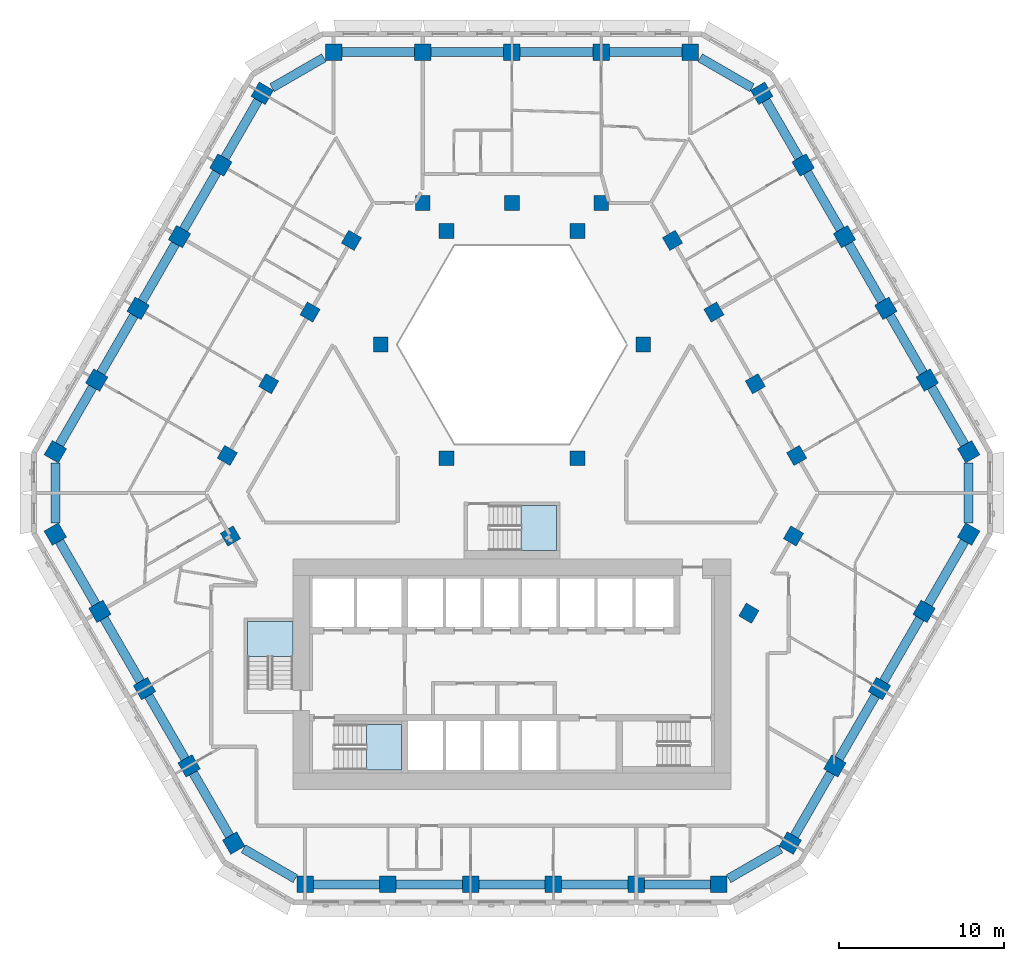
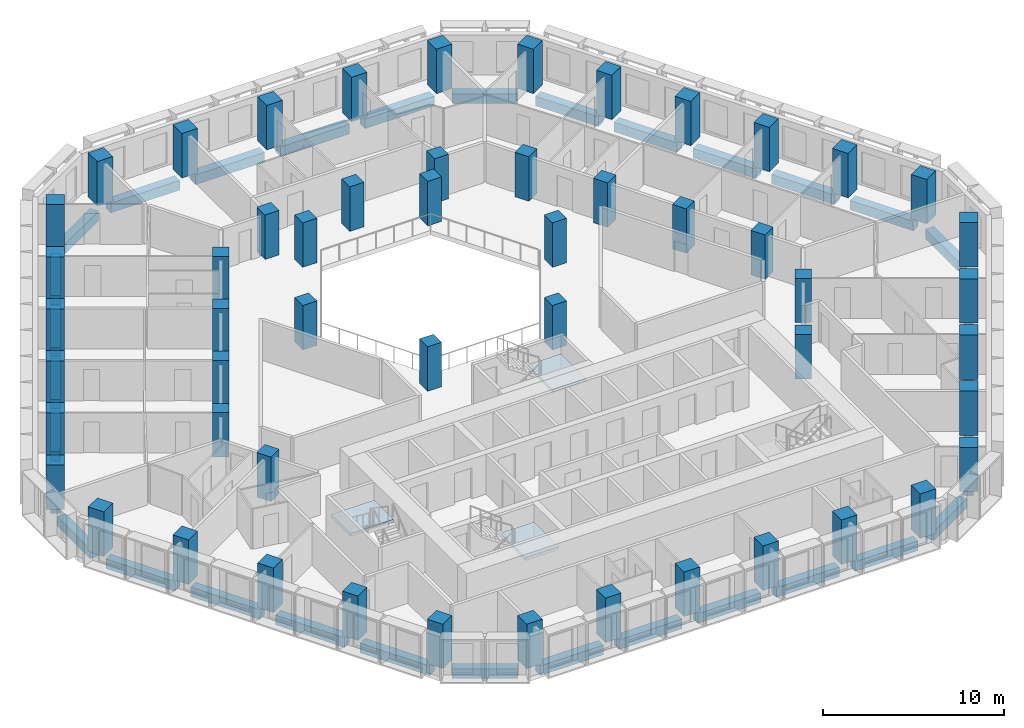
# One storey, part 1 of 18: 53 columns, 33 beams, 3 slabs, 3 elements without a shape of their own.
"""IFC4 building model written with IfcOpenShell, lengths in metres."""

from ifc_helpers import new_model, si_unit, direction, frame, origin, origin_2d, place, context, subcontext, project, spatial, polyline, rectangle, outline, extrude, material, layer, layer_set, material_profile, profile_set, type_object, element, aggregate, save


model = new_model("IFC4")

# Units and contexts
model_context = context("Model", 3, precision=1e-05, world=origin(), true_north=direction((0.0, 1.0)))
body_context = subcontext(model_context, "Body", "Model", "MODEL_VIEW")
ifc_project = project(units=[si_unit("LENGTHUNIT", "METRE"), si_unit("AREAUNIT", "SQUARE_METRE"), si_unit("VOLUMEUNIT", "CUBIC_METRE"), si_unit("PLANEANGLEUNIT", "RADIAN"), si_unit("MASSUNIT", "GRAM", prefix="KILO")], contexts=[model_context])

# Site, building, storey
site_placement = place(None, origin())
site = spatial("IfcSite", under=ifc_project, at=site_placement, CompositionType="ELEMENT")
building_placement = place(site_placement, origin())
building = spatial("IfcBuilding", under=site, at=building_placement, Name="Beryl Residences", CompositionType="ELEMENT")
storey_placement = place(building_placement, frame((0.0, 0.0, 99.0)))
storey = spatial("IfcBuildingStorey", under=building, at=storey_placement, Name="L30", CompositionType="ELEMENT", Elevation=99.0)

# Columns
ifc_material_1 = material(Name="Concrete C70/85", Category="concrete")
ifc_material_profile_1 = material_profile(ifc_material_1, rectangle(XDim=1.0, YDim=1.0, at=origin_2d()))
ifc_profile_set_1 = profile_set([ifc_material_profile_1], Name="Concrete C70/85")
column_type_1 = type_object("IfcColumnType", Name="C2 tube column 1000 x 1000 C70/85", PredefinedType="COLUMN", material=ifc_profile_set_1)
for number, where, z_axis, x_axis, name in (
    (1, (10.824951171875, 25.75, 0.0), (0.0, 0.0, 1.0), (-1.0, 0.0, 0.0), "C2-N1 L30"),
    (2, (5.412109375, 25.75, 0.0), (0.0, 0.0, 1.0), (-1.0, 0.0, 0.0), "C2-N2 L30"),
    (3, (-0.0009765625, 25.75, 0.0), (0.0, 0.0, 1.0), (-1.0, 0.0, 0.0), "C2-N3 L30"),
    (4, (-5.4140625, 25.75, 0.0), (0.0, 0.0, 1.0), (-1.0, 0.0, 0.0), "C2-N4 L30"),
    (5, (-10.826904296875, 25.75, 0.0), (0.0, 0.0, 1.0), (-1.0, 0.0, 0.0), "C2-N5 L30"),
    (6, (-15.155029296875, 23.2509765625, 0.0), (0.0, 0.0, 1.0), (-0.5, -0.866025403784, 0.0), "C2-NW1 L30"),
    (7, (-17.6669921875, 18.89990234375, 0.0), (0.0, 0.0, 1.0), (-0.5, -0.866025403784, 0.0), "C2-NW2 L30"),
    (8, (-20.177978515625, 14.550048828125, 0.0), (0.0, 0.0, 1.0), (-0.5, -0.866025403784, 0.0), "C2-NW3 L30"),
    (9, (-22.68994140625, 10.199951171875, 0.0), (0.0, 0.0, 1.0), (-0.5, -0.866025403784, 0.0), "C2-NW4 L30"),
    (10, (-25.201904296875, 5.85009765625, 0.0), (0.0, 0.0, 1.0), (-0.5, -0.866025403784, 0.0), "C2-NW5 L30"),
    (11, (-27.712890625, 1.5, 0.0), (0.0, 0.0, 1.0), (-0.5, -0.866025403784, 0.0), "C2-NW6 L30"),
    (12, (-27.714111328125, -3.4990234375, 0.0), (0.0, 0.0, 1.0), (0.5, -0.866025403784, 0.0), "C2-SW1 L30"),
    (13, (-25.007080078125, -8.18701171875, 0.0), (0.0, 0.0, 1.0), (0.5, -0.866025403784, 0.0), "C2-SW2 L30"),
    (14, (-22.300048828125, -12.875, 0.0), (0.0, 0.0, 1.0), (0.5, -0.866025403784, 0.0), "C2-SW3 L30"),
    (15, (-19.593994140625, -17.56298828125, 0.0), (0.0, 0.0, 1.0), (0.5, -0.866025403784, 0.0), "C2-SW4 L30"),
    (16, (-16.886962890625, -22.2509765625, 0.0), (0.0, 0.0, 1.0), (0.5, -0.866025403784, 0.0), "C2-SW5 L30"),
    (17, (-12.556884765625, -24.75, 0.0), (0.0, 0.0, 1.0), (1.0, 0.0, 0.0), "C2-S1 L30"),
    (18, (-7.533935546875, -24.75, 0.0), (0.0, 0.0, 1.0), (1.0, 0.0, 0.0), "C2-S2 L30"),
    (19, (-2.510986328125, -24.75, 0.0), (0.0, 0.0, 1.0), (1.0, 0.0, 0.0), "C2-S3 L30"),
    (20, (2.511962890625, -24.75, 0.0), (0.0, 0.0, 1.0), (1.0, 0.0, 0.0), "C2-S4 L30"),
    (21, (7.534912109375, -24.75, 0.0), (0.0, 0.0, 1.0), (1.0, 0.0, 0.0), "C2-S5 L30"),
    (22, (12.55810546875, -24.75, 0.0), (0.0, 0.0, 1.0), (1.0, 0.0, 0.0), "C2-S6 L30"),
    (23, (16.886962890625, -22.2509765625, 0.0), (0.0, 0.0, 1.0), (0.5, 0.866025403784, 0.0), "C2-SE1 L30"),
    (24, (19.593994140625, -17.56298828125, 0.0), (0.0, 0.0, 1.0), (0.5, 0.866025403784, 0.0), "C2-SE2 L30"),
    (25, (22.300048828125, -12.875, 0.0), (0.0, 0.0, 1.0), (0.5, 0.866025403784, 0.0), "C2-SE3 L30"),
    (26, (25.007080078125, -8.18701171875, 0.0), (0.0, 0.0, 1.0), (0.5, 0.866025403784, 0.0), "C2-SE4 L30"),
    (27, (27.714111328125, -3.4990234375, 0.0), (0.0, 0.0, 1.0), (0.5, 0.866025403784, 0.0), "C2-SE5 L30"),
    (28, (27.714111328125, 1.4990234375, 0.0), (0.0, 0.0, 1.0), (-0.5, 0.866025403784, 0.0), "C2-NE1 L30"),
    (29, (25.201904296875, 5.85009765625, 0.0), (0.0, 0.0, 1.0), (-0.5, 0.866025403784, 0.0), "C2-NE2 L30"),
    (30, (22.68994140625, 10.199951171875, 0.0), (0.0, 0.0, 1.0), (-0.5, 0.866025403784, 0.0), "C2-NE3 L30"),
    (31, (20.178955078125, 14.550048828125, 0.0), (0.0, 0.0, 1.0), (-0.5, 0.866025403784, 0.0), "C2-NE4 L30"),
    (32, (17.6669921875, 18.89990234375, 0.0), (0.0, 0.0, 1.0), (-0.5, 0.866025403784, 0.0), "C2-NE5 L30"),
    (33, (15.156005859375, 23.25, 0.0), (0.0, 0.0, 1.0), (-0.5, 0.866025403784, 0.0), "C2-NE6 L30"),
):
    element("IfcColumn", number, at=place(storey_placement, frame(where, z_axis=z_axis, x_axis=x_axis)), inside=storey, type_object=column_type_1, Name=name, PredefinedType="COLUMN", context=body_context, shape_type="SweptSolid", body=[
        extrude(rectangle(XDim=1.0, YDim=1.0, at=origin_2d()), origin(), (0.0, 0.0, 1.0), 3.0),
    ])
ifc_material_2 = material(Name="Concrete C70/85", Category="concrete")
ifc_material_profile_2 = material_profile(ifc_material_2, rectangle(XDim=0.89990234375, YDim=0.89990234375, at=origin_2d()))
ifc_profile_set_2 = profile_set([ifc_material_profile_2], Name="Concrete C70/85")
column_type_2 = type_object("IfcColumnType", Name="IC2 interior column 900 x 900 C70/85", PredefinedType="COLUMN", material=ifc_profile_set_2)
for number, where, z_axis, x_axis, name in (
    (34, (-17.0830078125, -3.612060546875, 0.0), (0.0, 0.0, 1.0), (0.5, -0.866025403784, 0.0), "IC2-M01 L30"),
    (35, (14.3759765625, -8.300048828125, 0.0), (0.0, 0.0, 1.0), (0.5, 0.866025403784, 0.0), "IC2-M02 L30"),
    (36, (17.0830078125, -3.612060546875, 0.0), (0.0, 0.0, 1.0), (0.5, 0.866025403784, 0.0), "IC2-M03 L30"),
    (37, (17.278076171875, 1.27392578125, 0.0), (0.0, 0.0, 1.0), (-0.5, 0.866025403784, 0.0), "IC2-M04 L30"),
    (38, (3.98388671875, 1.10009765625, 0.0), (0.0, 0.0, 1.0), (1.0, 0.0, 0.0), "IC2-A05 L30"),
    (39, (14.76611328125, 5.625, 0.0), (0.0, 0.0, 1.0), (-0.5, 0.866025403784, 0.0), "IC2-M06 L30"),
    (40, (12.2548828125, 9.97509765625, 0.0), (0.0, 0.0, 1.0), (-0.5, 0.866025403784, 0.0), "IC2-M07 L30"),
    (41, (7.967041015625, 8.0, 0.0), (0.0, 0.0, 1.0), (1.0, 0.0, 0.0), "IC2-A08 L30"),
    (42, (9.742919921875, 14.324951171875, 0.0), (0.0, 0.0, 1.0), (-0.5, 0.866025403784, 0.0), "IC2-M09 L30"),
    (43, (5.412109375, 16.60009765625, 0.0), (0.0, 0.0, 1.0), (-1.0, 0.0, 0.0), "IC2-M10 L30"),
    (44, (3.98388671875, 14.89990234375, 0.0), (0.0, 0.0, 1.0), (1.0, 0.0, 0.0), "IC2-A11 L30"),
    (45, (-0.0009765625, 16.60009765625, 0.0), (0.0, 0.0, 1.0), (-1.0, 0.0, 0.0), "IC2-M12 L30"),
    (46, (-3.98388671875, 14.89990234375, 0.0), (0.0, 0.0, 1.0), (1.0, 0.0, 0.0), "IC2-A13 L30"),
    (47, (-5.4140625, 16.60009765625, 0.0), (0.0, 0.0, 1.0), (-1.0, 0.0, 0.0), "IC2-M14 L30"),
    (48, (-9.742919921875, 14.324951171875, 0.0), (0.0, 0.0, 1.0), (-0.5, -0.866025403784, 0.0), "IC2-M15 L30"),
    (49, (-7.967041015625, 8.0, 0.0), (0.0, 0.0, 1.0), (1.0, 0.0, 0.0), "IC2-A16 L30"),
    (50, (-12.25390625, 9.97509765625, 0.0), (0.0, 0.0, 1.0), (-0.5, -0.866025403784, 0.0), "IC2-M17 L30"),
    (51, (-14.76611328125, 5.625, 0.0), (0.0, 0.0, 1.0), (-0.5, -0.866025403784, 0.0), "IC2-M18 L30"),
    (52, (-3.98388671875, 1.10009765625, 0.0), (0.0, 0.0, 1.0), (1.0, 0.0, 0.0), "IC2-A19 L30"),
    (53, (-17.277099609375, 1.27490234375, 0.0), (0.0, 0.0, 1.0), (-0.5, -0.866025403784, 0.0), "IC2-M20 L30"),
):
    element("IfcColumn", number, at=place(storey_placement, frame(where, z_axis=z_axis, x_axis=x_axis)), inside=storey, type_object=column_type_2, Name=name, PredefinedType="COLUMN", context=body_context, shape_type="SweptSolid", body=[
        extrude(rectangle(XDim=0.89990234375, YDim=0.89990234375, at=origin_2d()), origin(), (0.0, 0.0, 1.0), 3.0),
    ])

# Beams
ifc_material_3 = material(Name="Concrete C70/85", Category="concrete")
ifc_material_profile_3 = material_profile(ifc_material_3, rectangle(XDim=0.550048828125, YDim=0.64990234375, at=origin_2d()))
ifc_profile_set_3 = profile_set([ifc_material_profile_3], Name="Concrete C70/85")
beam_type = type_object("IfcBeamType", Name="SB2 spandrel beam 550 x 650 C70/85", PredefinedType="SPANDREL", material=ifc_profile_set_3)
beam_1_placement = place(storey_placement, frame((10.324951171875, 25.75, -0.625), z_axis=(-1.0, 0.0, 0.0), x_axis=(0.0, -1.0, 0.0)))
element("IfcBeam", 54, at=beam_1_placement, inside=storey, type_object=beam_type, Name="SB2 L30 N-0", PredefinedType="SPANDREL", context=body_context, shape_type="SweptSolid", body=[
    extrude(rectangle(XDim=0.550048828125, YDim=0.64990234375, at=origin_2d()), origin(), (0.0, 0.0, 1.0), 4.412841796875),
])
for number, where, z_axis, x_axis, name in (
    (55, (4.912109375, 25.75, -0.625), (-1.0, 0.0, 0.0), (0.0, -1.0, 0.0), "SB2 L30 N-1"),
    (56, (-0.5009765625, 25.75, -0.625), (-1.0, 0.0, 0.0), (0.0, -1.0, 0.0), "SB2 L30 N-2"),
):
    element("IfcBeam", number, at=place(storey_placement, frame(where, z_axis=z_axis, x_axis=x_axis)), inside=storey, type_object=beam_type, Name=name, PredefinedType="SPANDREL", context=body_context, shape_type="SweptSolid", body=[
        extrude(rectangle(XDim=0.550048828125, YDim=0.64990234375, at=origin_2d()), origin(), (0.0, 0.0, 1.0), 4.4130859375),
    ])
beam_2_placement = place(storey_placement, frame((-5.9140625, 25.75, -0.625), z_axis=(-1.0, 0.0, 0.0), x_axis=(0.0, -1.0, 0.0)))
element("IfcBeam", 57, at=beam_2_placement, inside=storey, type_object=beam_type, Name="SB2 L30 N-3", PredefinedType="SPANDREL", context=body_context, shape_type="SweptSolid", body=[
    extrude(rectangle(XDim=0.550048828125, YDim=0.64990234375, at=origin_2d()), origin(), (0.0, 0.0, 1.0), 4.412841796875),
])
beam_3_placement = place(storey_placement, frame((-11.41796875, 25.408935546875, -0.625), z_axis=(-0.865959503272, -0.500114125668, 0.0), x_axis=(0.500114125668, -0.865959503272, 0.0)))
element("IfcBeam", 58, at=beam_3_placement, inside=storey, type_object=beam_type, Name="SB2 L30 N-4", PredefinedType="SPANDREL", context=body_context, shape_type="SweptSolid", body=[
    extrude(rectangle(XDim=0.550048828125, YDim=0.64990234375, at=origin_2d()), origin(), (0.0, 0.0, 1.0), 3.633056640625),
])
beam_4_placement = place(storey_placement, frame((-15.405029296875, 22.818115234375, -0.625), z_axis=(-0.49996928203, -0.866043138087, 0.0), x_axis=(0.866043138087, -0.49996928203, 0.0)))
element("IfcBeam", 59, at=beam_4_placement, inside=storey, type_object=beam_type, Name="SB2 L30 NW-0", PredefinedType="SPANDREL", context=body_context, shape_type="SweptSolid", body=[
    extrude(rectangle(XDim=0.550048828125, YDim=0.64990234375, at=origin_2d()), origin(), (0.0, 0.0, 1.0), 4.024169921875),
])
beam_5_placement = place(storey_placement, frame((-17.9169921875, 18.467041015625, -0.625), z_axis=(-0.499892318183, -0.866087564985, 0.0), x_axis=(0.866087564985, -0.499892318183, 0.0)))
element("IfcBeam", 60, at=beam_5_placement, inside=storey, type_object=beam_type, Name="SB2 L30 NW-1", PredefinedType="SPANDREL", context=body_context, shape_type="SweptSolid", body=[
    extrude(rectangle(XDim=0.550048828125, YDim=0.64990234375, at=origin_2d()), origin(), (0.0, 0.0, 1.0), 4.02294921875),
])
beam_6_placement = place(storey_placement, frame((-20.427978515625, 14.116943359375, -0.625), z_axis=(-0.500100656611, -0.865967281863, 0.0), x_axis=(0.865967281863, -0.500100656611, 0.0)))
element("IfcBeam", 61, at=beam_6_placement, inside=storey, type_object=beam_type, Name="SB2 L30 NW-2", PredefinedType="SPANDREL", context=body_context, shape_type="SweptSolid", body=[
    extrude(rectangle(XDim=0.550048828125, YDim=0.64990234375, at=origin_2d()), origin(), (0.0, 0.0, 1.0), 4.023193359375),
])
beam_7_placement = place(storey_placement, frame((-22.93994140625, 9.76708984375, -0.625), z_axis=(-0.500074377092, -0.865982457891, 0.0), x_axis=(0.865982457891, -0.500074377092, 0.0)))
element("IfcBeam", 62, at=beam_7_placement, inside=storey, type_object=beam_type, Name="SB2 L30 NW-3", PredefinedType="SPANDREL", context=body_context, shape_type="SweptSolid", body=[
    extrude(rectangle(XDim=0.550048828125, YDim=0.64990234375, at=origin_2d()), origin(), (0.0, 0.0, 1.0), 4.0234375),
])
beam_8_placement = place(storey_placement, frame((-25.451904296875, 5.4169921875, -0.625), z_axis=(-0.499918594511, -0.866072398164, 0.0), x_axis=(0.866072398164, -0.499918594511, 0.0)))
element("IfcBeam", 63, at=beam_8_placement, inside=storey, type_object=beam_type, Name="SB2 L30 NW-4", PredefinedType="SPANDREL", context=body_context, shape_type="SweptSolid", body=[
    extrude(rectangle(XDim=0.550048828125, YDim=0.64990234375, at=origin_2d()), origin(), (0.0, 0.0, 1.0), 4.022705078125),
])
beam_9_placement = place(storey_placement, frame((-27.712890625, 0.81689453125, -0.625), z_axis=(-0.000336021486, -0.999999943545, 0.0), x_axis=(0.999999943545, -0.000336021486, 0.0)))
element("IfcBeam", 64, at=beam_9_placement, inside=storey, type_object=beam_type, Name="SB2 L30 NW-5", PredefinedType="SPANDREL", context=body_context, shape_type="SweptSolid", body=[
    extrude(rectangle(XDim=0.550048828125, YDim=0.64990234375, at=origin_2d()), origin(), (0.0, 0.0, 1.0), 3.6328125),
])
beam_10_placement = place(storey_placement, frame((-27.464111328125, -3.931884765625, -0.625), z_axis=(0.50006561292, -0.865987518834, 0.0), x_axis=(0.865987518834, 0.50006561292, 0.0)))
element("IfcBeam", 65, at=beam_10_placement, inside=storey, type_object=beam_type, Name="SB2 L30 SW-0", PredefinedType="SPANDREL", context=body_context, shape_type="SweptSolid", body=[
    extrude(rectangle(XDim=0.550048828125, YDim=0.64990234375, at=origin_2d()), origin(), (0.0, 0.0, 1.0), 4.41357421875),
])
beam_11_placement = place(storey_placement, frame((-24.757080078125, -8.6201171875, -0.625), z_axis=(0.500089568931, -0.865973684962, 0.0), x_axis=(0.865973684962, 0.500089568931, 0.0)))
element("IfcBeam", 66, at=beam_11_placement, inside=storey, type_object=beam_type, Name="SB2 L30 SW-1", PredefinedType="SPANDREL", context=body_context, shape_type="SweptSolid", body=[
    extrude(rectangle(XDim=0.550048828125, YDim=0.64990234375, at=origin_2d()), origin(), (0.0, 0.0, 1.0), 4.413330078125),
])
beam_12_placement = place(storey_placement, frame((-22.050048828125, -13.30810546875, -0.625), z_axis=(0.49992360228, -0.866069507536, 0.0), x_axis=(0.866069507536, 0.49992360228, 0.0)))
element("IfcBeam", 67, at=beam_12_placement, inside=storey, type_object=beam_type, Name="SB2 L30 SW-2", PredefinedType="SPANDREL", context=body_context, shape_type="SweptSolid", body=[
    extrude(rectangle(XDim=0.550048828125, YDim=0.64990234375, at=origin_2d()), origin(), (0.0, 0.0, 1.0), 4.412841796875),
])
beam_13_placement = place(storey_placement, frame((-19.343994140625, -17.99609375, -0.625), z_axis=(0.50006561292, -0.865987518834, 0.0), x_axis=(0.865987518834, 0.50006561292, 0.0)))
element("IfcBeam", 68, at=beam_13_placement, inside=storey, type_object=beam_type, Name="SB2 L30 SW-3", PredefinedType="SPANDREL", context=body_context, shape_type="SweptSolid", body=[
    extrude(rectangle(XDim=0.550048828125, YDim=0.64990234375, at=origin_2d()), origin(), (0.0, 0.0, 1.0), 4.41357421875),
])
beam_14_placement = place(storey_placement, frame((-16.2958984375, -22.592041015625, -0.625), z_axis=(0.866093873939, -0.499881387456, 0.0), x_axis=(0.499881387456, 0.866093873939, 0.0)))
element("IfcBeam", 69, at=beam_14_placement, inside=storey, type_object=beam_type, Name="SB2 L30 SW-4", PredefinedType="SPANDREL", context=body_context, shape_type="SweptSolid", body=[
    extrude(rectangle(XDim=0.550048828125, YDim=0.64990234375, at=origin_2d()), origin(), (0.0, 0.0, 1.0), 3.634765625),
])
for number, where, z_axis, x_axis, name in (
    (70, (-12.056884765625, -24.75, -0.625), (1.0, 0.0, 0.0), (0.0, 1.0, 0.0), "SB2 L30 S-0"),
    (71, (-7.033935546875, -24.75, -0.625), (1.0, 0.0, 0.0), (0.0, 1.0, 0.0), "SB2 L30 S-1"),
    (72, (-2.010986328125, -24.75, -0.625), (1.0, 0.0, 0.0), (0.0, 1.0, 0.0), "SB2 L30 S-2"),
    (73, (3.011962890625, -24.75, -0.625), (1.0, 0.0, 0.0), (0.0, 1.0, 0.0), "SB2 L30 S-3"),
):
    element("IfcBeam", number, at=place(storey_placement, frame(where, z_axis=z_axis, x_axis=x_axis)), inside=storey, type_object=beam_type, Name=name, PredefinedType="SPANDREL", context=body_context, shape_type="SweptSolid", body=[
        extrude(rectangle(XDim=0.550048828125, YDim=0.64990234375, at=origin_2d()), origin(), (0.0, 0.0, 1.0), 4.02294921875),
    ])
beam_15_placement = place(storey_placement, frame((8.034912109375, -24.75, -0.625), z_axis=(1.0, 0.0, 0.0), x_axis=(0.0, 1.0, 0.0)))
element("IfcBeam", 74, at=beam_15_placement, inside=storey, type_object=beam_type, Name="SB2 L30 S-4", PredefinedType="SPANDREL", context=body_context, shape_type="SweptSolid", body=[
    extrude(rectangle(XDim=0.550048828125, YDim=0.64990234375, at=origin_2d()), origin(), (0.0, 0.0, 1.0), 4.023193359375),
])
beam_16_placement = place(storey_placement, frame((13.14892578125, -24.408935546875, -0.625), z_axis=(0.866026712061, 0.499997733992, 0.0), x_axis=(-0.499997733992, 0.866026712061, 0.0)))
element("IfcBeam", 75, at=beam_16_placement, inside=storey, type_object=beam_type, Name="SB2 L30 S-5", PredefinedType="SPANDREL", context=body_context, shape_type="SweptSolid", body=[
    extrude(rectangle(XDim=0.550048828125, YDim=0.64990234375, at=origin_2d()), origin(), (0.0, 0.0, 1.0), 3.6337890625),
])
beam_17_placement = place(storey_placement, frame((17.136962890625, -21.818115234375, -0.625), z_axis=(0.50006561292, 0.865987518834, 0.0), x_axis=(-0.865987518834, 0.50006561292, 0.0)))
element("IfcBeam", 76, at=beam_17_placement, inside=storey, type_object=beam_type, Name="SB2 L30 SE-0", PredefinedType="SPANDREL", context=body_context, shape_type="SweptSolid", body=[
    extrude(rectangle(XDim=0.550048828125, YDim=0.64990234375, at=origin_2d()), origin(), (0.0, 0.0, 1.0), 4.41357421875),
])
beam_18_placement = place(storey_placement, frame((19.843994140625, -17.1298828125, -0.625), z_axis=(0.49992360228, 0.866069507536, 0.0), x_axis=(-0.866069507536, 0.49992360228, 0.0)))
element("IfcBeam", 77, at=beam_18_placement, inside=storey, type_object=beam_type, Name="SB2 L30 SE-1", PredefinedType="SPANDREL", context=body_context, shape_type="SweptSolid", body=[
    extrude(rectangle(XDim=0.550048828125, YDim=0.64990234375, at=origin_2d()), origin(), (0.0, 0.0, 1.0), 4.412841796875),
])
beam_19_placement = place(storey_placement, frame((22.550048828125, -12.44189453125, -0.625), z_axis=(0.500089568931, 0.865973684962, 0.0), x_axis=(-0.865973684962, 0.500089568931, 0.0)))
element("IfcBeam", 78, at=beam_19_placement, inside=storey, type_object=beam_type, Name="SB2 L30 SE-2", PredefinedType="SPANDREL", context=body_context, shape_type="SweptSolid", body=[
    extrude(rectangle(XDim=0.550048828125, YDim=0.64990234375, at=origin_2d()), origin(), (0.0, 0.0, 1.0), 4.413330078125),
])
beam_20_placement = place(storey_placement, frame((25.257080078125, -7.75390625, -0.625), z_axis=(0.50006561292, 0.865987518834, 0.0), x_axis=(-0.865987518834, 0.50006561292, 0.0)))
element("IfcBeam", 79, at=beam_20_placement, inside=storey, type_object=beam_type, Name="SB2 L30 SE-3", PredefinedType="SPANDREL", context=body_context, shape_type="SweptSolid", body=[
    extrude(rectangle(XDim=0.550048828125, YDim=0.64990234375, at=origin_2d()), origin(), (0.0, 0.0, 1.0), 4.41357421875),
])
beam_21_placement = place(storey_placement, frame((27.714111328125, -2.81591796875, -0.625), z_axis=(0.0, 1.0, 0.0), x_axis=(-1.0, 0.0, 0.0)))
element("IfcBeam", 80, at=beam_21_placement, inside=storey, type_object=beam_type, Name="SB2 L30 SE-4", PredefinedType="SPANDREL", context=body_context, shape_type="SweptSolid", body=[
    extrude(rectangle(XDim=0.550048828125, YDim=0.64990234375, at=origin_2d()), origin(), (0.0, 0.0, 1.0), 3.6318359375),
])
beam_22_placement = place(storey_placement, frame((27.464111328125, 1.931884765625, -0.625), z_axis=(-0.500014783214, 0.866016868524, 0.0), x_axis=(-0.866016868524, -0.500014783214, 0.0)))
element("IfcBeam", 81, at=beam_22_placement, inside=storey, type_object=beam_type, Name="SB2 L30 NE-0", PredefinedType="SPANDREL", context=body_context, shape_type="SweptSolid", body=[
    extrude(rectangle(XDim=0.550048828125, YDim=0.64990234375, at=origin_2d()), origin(), (0.0, 0.0, 1.0), 4.0244140625),
])
beam_23_placement = place(storey_placement, frame((24.951904296875, 6.282958984375, -0.625), z_axis=(-0.500074377092, 0.865982457891, 0.0), x_axis=(-0.865982457891, -0.500074377092, 0.0)))
element("IfcBeam", 82, at=beam_23_placement, inside=storey, type_object=beam_type, Name="SB2 L30 NE-1", PredefinedType="SPANDREL", context=body_context, shape_type="SweptSolid", body=[
    extrude(rectangle(XDim=0.550048828125, YDim=0.64990234375, at=origin_2d()), origin(), (0.0, 0.0, 1.0), 4.0234375),
])
beam_24_placement = place(storey_placement, frame((22.43994140625, 10.633056640625, -0.625), z_axis=(-0.499918594511, 0.866072398164, 0.0), x_axis=(-0.866072398164, -0.499918594511, 0.0)))
element("IfcBeam", 83, at=beam_24_placement, inside=storey, type_object=beam_type, Name="SB2 L30 NE-2", PredefinedType="SPANDREL", context=body_context, shape_type="SweptSolid", body=[
    extrude(rectangle(XDim=0.550048828125, YDim=0.64990234375, at=origin_2d()), origin(), (0.0, 0.0, 1.0), 4.022705078125),
])
beam_25_placement = place(storey_placement, frame((19.928955078125, 14.98291015625, -0.625), z_axis=(-0.500074377092, 0.865982457891, 0.0), x_axis=(-0.865982457891, -0.500074377092, 0.0)))
element("IfcBeam", 84, at=beam_25_placement, inside=storey, type_object=beam_type, Name="SB2 L30 NE-3", PredefinedType="SPANDREL", context=body_context, shape_type="SweptSolid", body=[
    extrude(rectangle(XDim=0.550048828125, YDim=0.64990234375, at=origin_2d()), origin(), (0.0, 0.0, 1.0), 4.0234375),
])
beam_26_placement = place(storey_placement, frame((17.4169921875, 19.3330078125, -0.625), z_axis=(-0.499918594511, 0.866072398164, 0.0), x_axis=(-0.866072398164, -0.499918594511, 0.0)))
element("IfcBeam", 85, at=beam_26_placement, inside=storey, type_object=beam_type, Name="SB2 L30 NE-4", PredefinedType="SPANDREL", context=body_context, shape_type="SweptSolid", body=[
    extrude(rectangle(XDim=0.550048828125, YDim=0.64990234375, at=origin_2d()), origin(), (0.0, 0.0, 1.0), 4.022705078125),
])
beam_27_placement = place(storey_placement, frame((14.56494140625, 23.591064453125, -0.625), z_axis=(-0.866044702259, 0.499966572571, 0.0), x_axis=(-0.499966572571, -0.866044702259, 0.0)))
element("IfcBeam", 86, at=beam_27_placement, inside=storey, type_object=beam_type, Name="SB2 L30 NE-5", PredefinedType="SPANDREL", context=body_context, shape_type="SweptSolid", body=[
    extrude(rectangle(XDim=0.550048828125, YDim=0.64990234375, at=origin_2d()), origin(), (0.0, 0.0, 1.0), 3.635986328125),
])

# Stair, slab
ifc_material_4 = material(Name="Concrete C40/50", Category="concrete")
stair_type = type_object("IfcStairType", Name="ST1 protected exit stair, half-turn, 1300 mm flights", PredefinedType="HALF_TURN_STAIR", material=ifc_material_4)
stair_1_placement = place(storey_placement, origin())
stair_1 = element("IfcStair", 87, at=stair_1_placement, inside=storey, type_object=stair_type, Name="L30 PROTECTED EXIT STAIR ST-1", PredefinedType="HALF_TURN_STAIR")
ifc_material_5 = material(Name="Concrete C40/50", Category="concrete")
ifc_layer = layer(ifc_material_5, 0.199951171875)
ifc_layer_set = layer_set([ifc_layer], Name="SLD1 stair landing 200 mm")
slab_type = type_object("IfcSlabType", Name="SLD1 stair landing 200 mm", PredefinedType="LANDING", material=ifc_layer_set)
slab_1_placement = place(storey_placement, frame((0.0, 0.0, 1.300048828125)))
slab_1 = element("IfcSlab", 88, at=slab_1_placement, type_object=slab_type, Name="ST-1 landing 1", PredefinedType="LANDING", context=body_context, shape_type="SweptSolid", body=[
    extrude(outline(polyline([(-8.840087890625, -17.800048828125), (-6.699951171875, -17.800048828125), (-6.699951171875, -15.050048828125), (-8.840087890625, -15.050048828125), (-8.840087890625, -17.800048828125)])), origin(), (0.0, 0.0, 1.0), 0.199951171875),
])
aggregate(stair_1, [slab_1])

stair_2_placement = place(storey_placement, origin())
stair_2 = element("IfcStair", 89, at=stair_2_placement, inside=storey, type_object=stair_type, Name="L30 PROTECTED EXIT STAIR ST-2", PredefinedType="HALF_TURN_STAIR")
slab_2_placement = place(storey_placement, frame((0.0, 0.0, 1.300048828125)))
slab_2 = element("IfcSlab", 90, at=slab_2_placement, type_object=slab_type, Name="ST-2 landing 1", PredefinedType="LANDING", context=body_context, shape_type="SweptSolid", body=[
    extrude(outline(polyline([(-13.300048828125, -10.93994140625), (-13.300048828125, -8.800048828125), (-16.050048828125, -8.800048828125), (-16.050048828125, -10.93994140625), (-13.300048828125, -10.93994140625)])), origin(), (0.0, 0.0, 1.0), 0.199951171875),
])
aggregate(stair_2, [slab_2])

stair_3_placement = place(storey_placement, origin())
stair_3 = element("IfcStair", 91, at=stair_3_placement, inside=storey, type_object=stair_type, Name="L30 PROTECTED EXIT STAIR ST-4", PredefinedType="HALF_TURN_STAIR")
slab_3_placement = place(storey_placement, frame((0.0, 0.0, 1.300048828125)))
slab_3 = element("IfcSlab", 92, at=slab_3_placement, type_object=slab_type, Name="ST-4 landing 1", PredefinedType="LANDING", context=body_context, shape_type="SweptSolid", body=[
    extrude(outline(polyline([(0.56005859375, -4.5), (2.699951171875, -4.5), (2.699951171875, -1.75), (0.56005859375, -1.75), (0.56005859375, -4.5)])), origin(), (0.0, 0.0, 1.0), 0.199951171875),
])
aggregate(stair_3, [slab_3])

save(model, "model.ifc")
